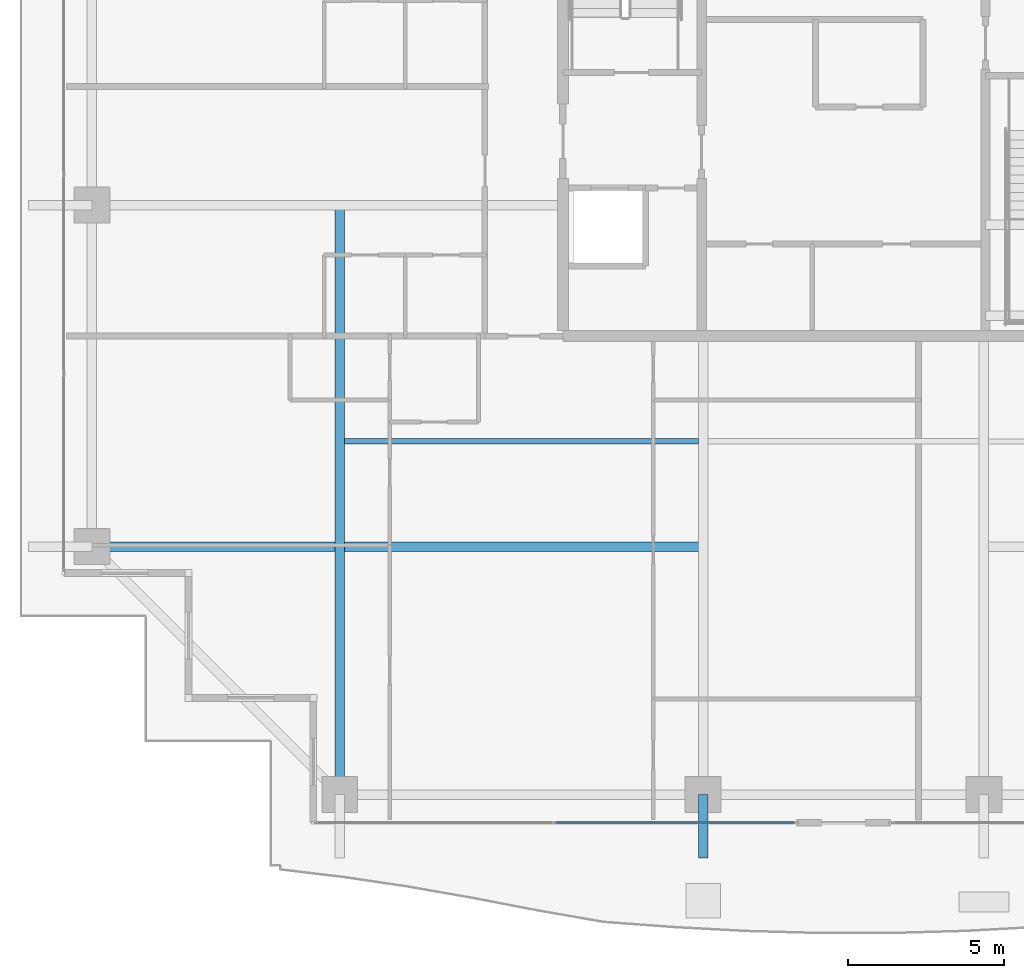
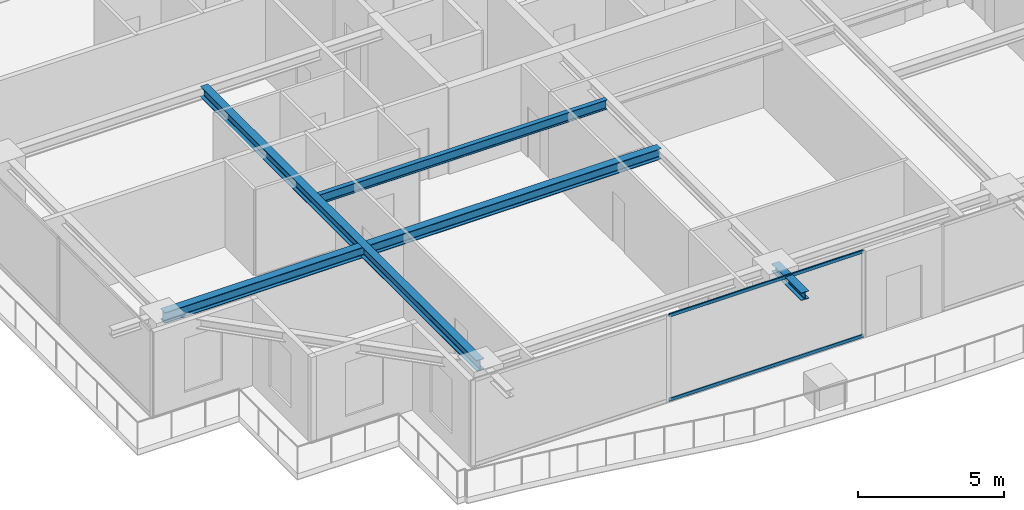
# One storey, part 4 of 37: 4 beams, 2 members, 1 element without a shape of its own.
"""IFC4 building model written with IfcOpenShell, lengths in metres."""

from ifc_helpers import new_model, si_unit, direction, frame, origin, origin_2d, place, context, subcontext, project, spatial, hollow_rectangle, i_section, extrude, source, transform, mapped, material, layer, layer_set, material_profile, profile_set, type_object, element, aggregate, save


model = new_model("IFC4")

# Units and contexts
model_context = context("Model", 3, precision=1e-05, world=origin(), true_north=direction((0.0, 1.0)))
body_context = subcontext(model_context, "Body", "Model", "MODEL_VIEW")
ifc_project = project(units=[si_unit("LENGTHUNIT", "METRE"), si_unit("AREAUNIT", "SQUARE_METRE"), si_unit("VOLUMEUNIT", "CUBIC_METRE"), si_unit("PLANEANGLEUNIT", "RADIAN"), si_unit("MASSUNIT", "GRAM", prefix="KILO")], contexts=[model_context])

# Site, building, storey
site_placement = place(None, origin())
site = spatial("IfcSite", under=ifc_project, at=site_placement, CompositionType="ELEMENT")
building_placement = place(site_placement, origin())
building = spatial("IfcBuilding", under=site, at=building_placement, Name="Serunith Strait Residences", CompositionType="ELEMENT")
storey_placement = place(building_placement, frame((0.0, 0.0, 260.5)))
storey = spatial("IfcBuildingStorey", under=building, at=storey_placement, Name="L65", CompositionType="ELEMENT", Elevation=260.5)

# Beams
ifc_material_1 = material(Name="Steel S355J2", Category="steel")
ifc_material_profile_1 = material_profile(ifc_material_1, i_section(OverallWidth=0.300048828125, OverallDepth=0.449951171875, WebThickness=0.013916015625, FlangeThickness=0.02587890625, FilletRadius=0.027099609375, at=origin_2d()), Name="HEB 450")
ifc_profile_set_1 = profile_set([ifc_material_profile_1], Name="Steel S355J2")
beam_type_1 = type_object("IfcBeamType", Name="BM-HEB450", PredefinedType="BEAM", material=ifc_profile_set_1)
shared_shape_1 = source(origin(), body_context, "Body", "SweptSolid", [
    extrude(i_section(OverallWidth=0.300048828125, OverallDepth=0.449951171875, WebThickness=0.013916015625, FlangeThickness=0.02587890625, FilletRadius=0.027099609375, at=origin_2d()), origin(), (0.0, 0.0, 1.0), 18.89990234375),
])
beam_1_placement = place(storey_placement, frame((16.25, 21.0, 3.362060546875), z_axis=(0.0, -1.0, 0.0), x_axis=(1.0, 0.0, 0.0)))
element("IfcBeam", 1, at=beam_1_placement, inside=storey, type_object=beam_type_1, Name="L65 Orthogonal Corner Girder TC-S1", PredefinedType="BEAM", context=body_context, shape_type="MappedRepresentation", body=[
    mapped(shared_shape_1, transform((0.0, 0.0, 0.0), scale=1.0)),
])
shared_shape_2 = source(origin(), body_context, "Body", "SweptSolid", [
    extrude(i_section(OverallWidth=0.300048828125, OverallDepth=0.449951171875, WebThickness=0.013916015625, FlangeThickness=0.02587890625, FilletRadius=0.027099609375, at=origin_2d()), origin(), (0.0, 0.0, 1.0), 19.599853515625),
])
beam_2_placement = place(storey_placement, frame((27.89990234375, 10.050048828125, 3.362060546875), z_axis=(-1.0, 0.0, 0.0), x_axis=(0.0, -1.0, 0.0)))
element("IfcBeam", 2, at=beam_2_placement, inside=storey, type_object=beam_type_1, Name="L65 Orthogonal Corner Girder TC-W1", PredefinedType="BEAM", context=body_context, shape_type="MappedRepresentation", body=[
    mapped(shared_shape_2, transform((0.0, 0.0, 0.0), scale=1.0)),
])
ifc_material_profile_2 = material_profile(ifc_material_1, i_section(OverallWidth=0.300048828125, OverallDepth=0.320068359375, WebThickness=0.011474609375, FlangeThickness=0.0205078125, FilletRadius=0.027099609375, at=origin_2d()), Name="HEB 320")
ifc_profile_set_2 = profile_set([ifc_material_profile_2], Name="Steel S355J2")
beam_type_2 = type_object("IfcBeamType", Name="BM-HEB320", PredefinedType="BEAM", material=ifc_profile_set_2)
shared_shape_3 = source(origin(), body_context, "Body", "SweptSolid", [
    extrude(i_section(OverallWidth=0.300048828125, OverallDepth=0.320068359375, WebThickness=0.011474609375, FlangeThickness=0.0205078125, FilletRadius=0.027099609375, at=origin_2d()), origin(), (0.0, 0.0, 1.0), 2.030029296875),
])
beam_3_placement = place(storey_placement, frame((27.89990234375, 2.10009765625, 3.39697265625), z_axis=(0.0, -1.0, 0.0), x_axis=(1.0, 0.0, 0.0)))
element("IfcBeam", 3, at=beam_3_placement, inside=storey, type_object=beam_type_2, Name="L66 Cantilevered Balcony Rib TC-S2", PredefinedType="BEAM", context=body_context, shape_type="MappedRepresentation", body=[
    mapped(shared_shape_3, transform((0.0, 0.0, 0.0), scale=1.0)),
])
ifc_material_profile_3 = material_profile(ifc_material_1, i_section(OverallWidth=0.179931640625, OverallDepth=0.39990234375, WebThickness=0.008544921875, FlangeThickness=0.013427734375, FilletRadius=0.02099609375, at=origin_2d()), Name="IPE 400")
ifc_profile_set_3 = profile_set([ifc_material_profile_3], Name="Steel S355J2")
beam_type_3 = type_object("IfcBeamType", Name="BM-IPE400", PredefinedType="JOIST", material=ifc_profile_set_3)
shared_shape_4 = source(origin(), body_context, "Body", "SweptSolid", [
    extrude(i_section(OverallWidth=0.179931640625, OverallDepth=0.39990234375, WebThickness=0.008544921875, FlangeThickness=0.013427734375, FilletRadius=0.02099609375, at=origin_2d()), origin(), (0.0, 0.0, 1.0), 11.35009765625),
])
beam_4_placement = place(storey_placement, frame((16.39990234375, 13.425048828125, 3.386962890625), z_axis=(1.0, 0.0, 0.0), x_axis=(0.0, 1.0, 0.0)))
element("IfcBeam", 4, at=beam_4_placement, inside=storey, type_object=beam_type_3, Name="L65 Composite Floor Joist 01", PredefinedType="JOIST", context=body_context, shape_type="MappedRepresentation", body=[
    mapped(shared_shape_4, transform((0.0, 0.0, 0.0), scale=1.0)),
])

# Curtain wall, members
ifc_material_2 = material(Name="Pale-Champagne Anodised Aluminium", Category="aluminium")
ifc_layer = layer(ifc_material_2, 0.199951171875, Name="Pale-Champagne Anodised Aluminium")
ifc_layer_set = layer_set([ifc_layer], Name="Pale-Champagne Anodised Aluminium")
curtain_wall_type = type_object("IfcCurtainWallType", Name="CW-SYS4", PredefinedType="NOTDEFINED", material=ifc_layer_set)
curtain_wall_placement = place(storey_placement, origin())
curtain_wall = element("IfcCurtainWall", 5, at=curtain_wall_placement, inside=storey, type_object=curtain_wall_type, Name="L65 S Unitised Fritted Curtain Wall", PredefinedType="NOTDEFINED")
ifc_material_profile_4 = material_profile(ifc_material_2, hollow_rectangle(XDim=0.06005859375, YDim=0.139892578125, WallThickness=0.00341796875, InnerFilletRadius=0.00537109375, OuterFilletRadius=0.0087890625, at=origin_2d()), Name="ALU 140x60x3.5")
ifc_profile_set_4 = profile_set([ifc_material_profile_4], Name="Pale-Champagne Anodised Aluminium")
member_type = type_object("IfcMemberType", Name="CW-SYS4-TRAN", PredefinedType="USERDEFINED", material=ifc_profile_set_4)
shared_shape_5 = source(origin(), body_context, "Body", "SweptSolid", [
    extrude(hollow_rectangle(XDim=0.06005859375, YDim=0.139892578125, WallThickness=0.00341796875, InnerFilletRadius=0.00537109375, OuterFilletRadius=0.0087890625, at=origin_2d()), origin(), (0.0, 0.0, 1.0), 7.65234375),
])
member_1_placement = place(storey_placement, frame((23.1826171875, 1.199951171875, 0.030029296875), z_axis=(1.0, 0.0, 0.0), x_axis=(0.0, 1.0, 0.0)))
member_1 = element("IfcMember", 6, at=member_1_placement, type_object=member_type, Name="CW-4 transom 2.1", ObjectType="TRANSOM", PredefinedType="USERDEFINED", context=body_context, shape_type="MappedRepresentation", body=[
    mapped(shared_shape_5, transform((0.0, 0.0, 0.0), scale=1.0)),
])
member_2_placement = place(storey_placement, frame((23.1826171875, 1.199951171875, 3.544921875), z_axis=(1.0, 0.0, 0.0), x_axis=(0.0, 1.0, 0.0)))
member_2 = element("IfcMember", 7, at=member_2_placement, type_object=member_type, Name="CW-4 transom 2.2", ObjectType="TRANSOM", PredefinedType="USERDEFINED", context=body_context, shape_type="MappedRepresentation", body=[
    mapped(shared_shape_5, transform((0.0, 0.0, 0.0), scale=1.0)),
])
aggregate(curtain_wall, [member_1, member_2])

save(model, "model.ifc")
